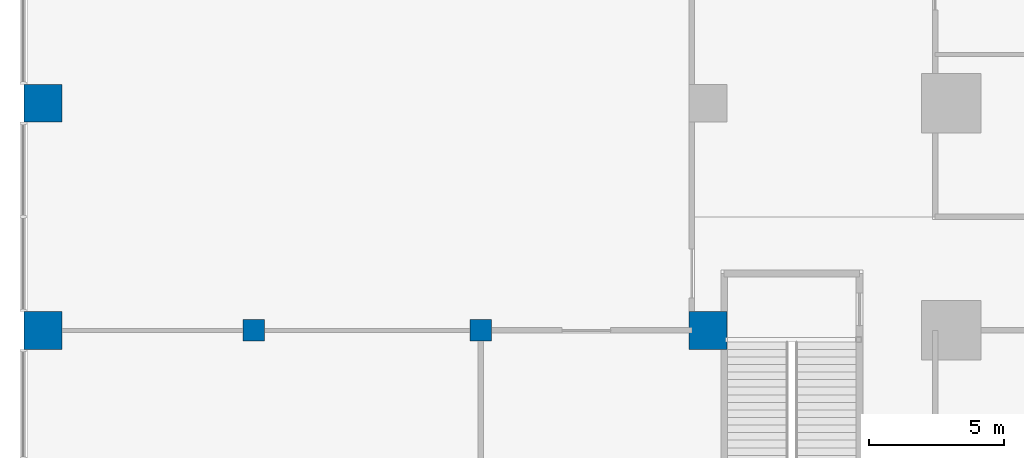
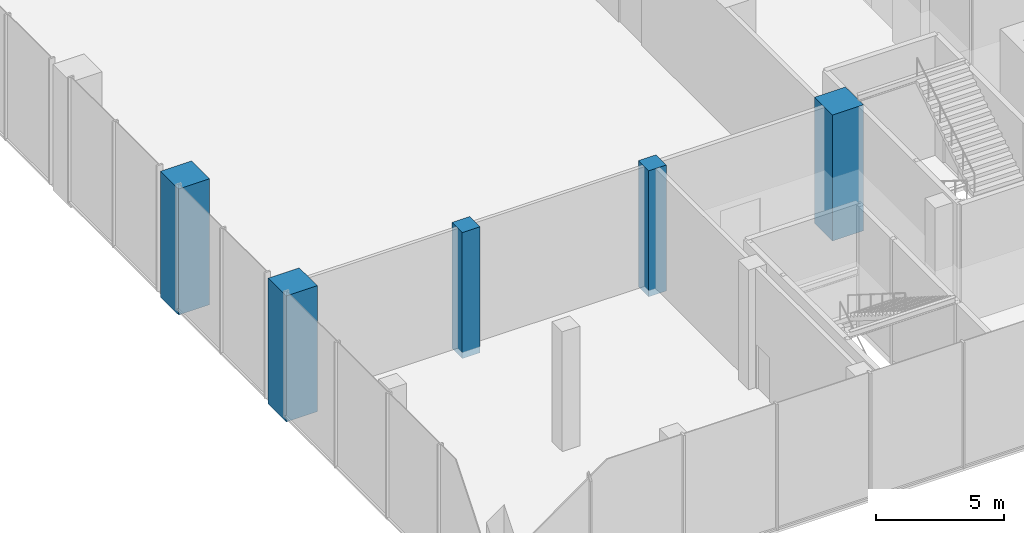
# One storey, part 3 of 32: 5 columns.
"""IFC4 building model written with IfcOpenShell, lengths in metres."""

from ifc_helpers import new_model, si_unit, direction, frame, origin, origin_2d, place, context, subcontext, project, spatial, rectangle, extrude, material, material_profile, profile_set, type_object, element, save


model = new_model("IFC4")

# Units and contexts
model_context = context("Model", 3, precision=1e-05, world=origin(), true_north=direction((0.0, 1.0)))
body_context = subcontext(model_context, "Body", "Model", "MODEL_VIEW")
ifc_project = project(units=[si_unit("LENGTHUNIT", "METRE"), si_unit("AREAUNIT", "SQUARE_METRE"), si_unit("VOLUMEUNIT", "CUBIC_METRE"), si_unit("PLANEANGLEUNIT", "RADIAN"), si_unit("MASSUNIT", "GRAM", prefix="KILO")], contexts=[model_context])

# Site, building, storey
site_placement = place(None, origin())
site = spatial("IfcSite", under=ifc_project, at=site_placement, CompositionType="ELEMENT")
building_placement = place(site_placement, origin())
building = spatial("IfcBuilding", under=site, at=building_placement, Name="Dunama Terrace Hotel", CompositionType="ELEMENT")
storey_placement = place(building_placement, frame((0.0, 0.0, 6.0)))
storey = spatial("IfcBuildingStorey", under=building, at=storey_placement, Name="L01", CompositionType="ELEMENT", Elevation=6.0)

# Columns
ifc_material_1 = material(Name="Concrete C50/60", Category="concrete")
ifc_material_profile_1 = material_profile(ifc_material_1, rectangle(XDim=1.39990234375, YDim=1.39990234375, at=origin_2d()), Name="RC 1400x1400")
ifc_profile_set_1 = profile_set([ifc_material_profile_1], Name="Concrete C50/60")
column_type_1 = type_object("IfcColumnType", Name="Column RC 1400x1400", PredefinedType="COLUMN", material=ifc_profile_set_1)
for number, where, z_axis, x_axis, name in (
    (1, (-33.0, 8.39990234375, -0.300048828125), (0.0, 0.0, 1.0), (1.0, 0.0, 0.0), "Column L01 -33.0/+8.4"),
    (2, (-33.0, 16.800048828125, -0.300048828125), (0.0, 0.0, 1.0), (1.0, 0.0, 0.0), "Column L01 -33.0/+16.8"),
    (3, (-8.39990234375, 8.39990234375, -0.300048828125), (0.0, 0.0, 1.0), (1.0, 0.0, 0.0), "Column L01 -8.4/+8.4"),
):
    element("IfcColumn", number, at=place(storey_placement, frame(where, z_axis=z_axis, x_axis=x_axis)), inside=storey, type_object=column_type_1, Name=name, PredefinedType="COLUMN", context=body_context, shape_type="SweptSolid", body=[
        extrude(rectangle(XDim=1.39990234375, YDim=1.39990234375, at=origin_2d()), origin(), (0.0, 0.0, 1.0), 6.0),
    ])
ifc_material_2 = material(Name="Concrete C40/50", Category="concrete")
ifc_material_profile_2 = material_profile(ifc_material_2, rectangle(XDim=0.800048828125, YDim=0.800048828125, at=origin_2d()), Name="RC 800x800")
ifc_profile_set_2 = profile_set([ifc_material_profile_2], Name="Concrete C40/50")
column_type_2 = type_object("IfcColumnType", Name="Column RC 800x800", PredefinedType="COLUMN", material=ifc_profile_set_2)
for number, where, z_axis, x_axis, name in (
    (4, (-25.199951171875, 8.39990234375, -0.300048828125), (0.0, 0.0, 1.0), (1.0, 0.0, 0.0), "Column L01 -25.2/+8.4"),
    (5, (-16.800048828125, 8.39990234375, -0.300048828125), (0.0, 0.0, 1.0), (1.0, 0.0, 0.0), "Column L01 -16.8/+8.4"),
):
    element("IfcColumn", number, at=place(storey_placement, frame(where, z_axis=z_axis, x_axis=x_axis)), inside=storey, type_object=column_type_2, Name=name, PredefinedType="COLUMN", context=body_context, shape_type="SweptSolid", body=[
        extrude(rectangle(XDim=0.800048828125, YDim=0.800048828125, at=origin_2d()), origin(), (0.0, 0.0, 1.0), 6.0),
    ])

save(model, "model.ifc")
